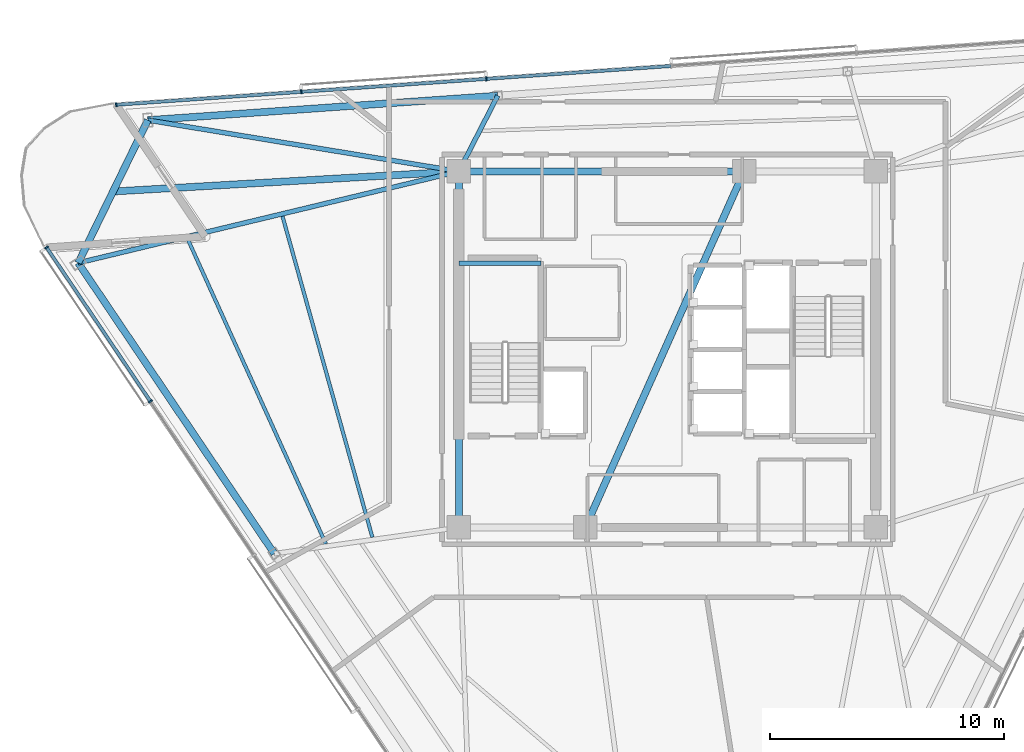
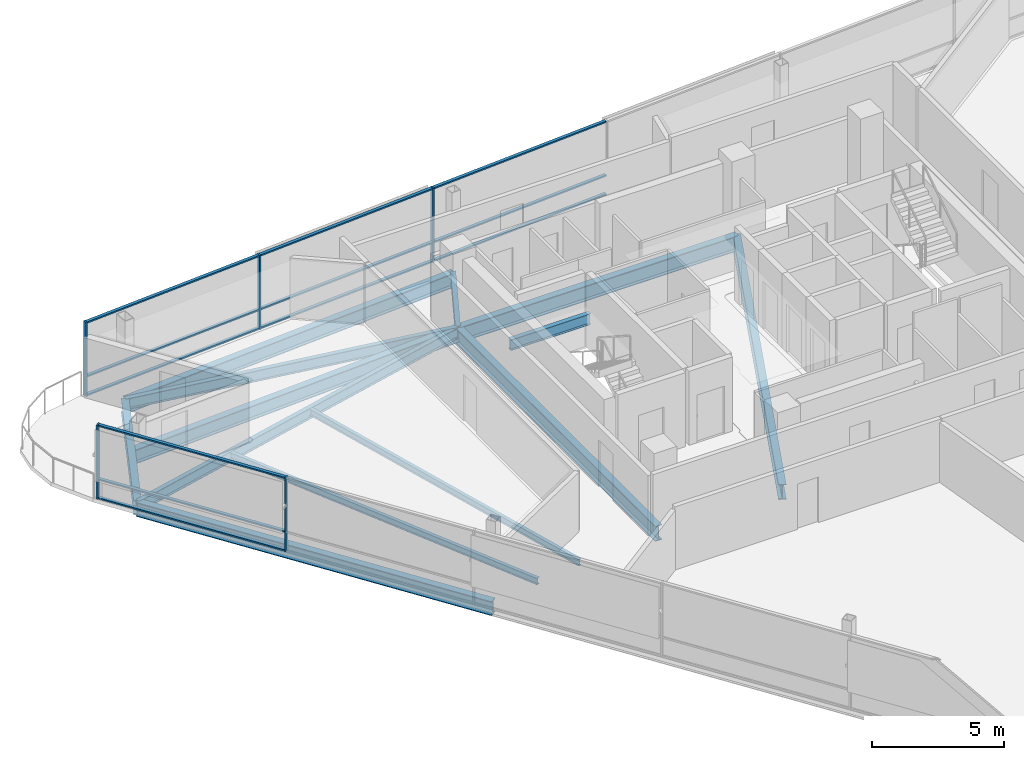
# One storey, part 5 of 15: 17 members, 13 beams, 2 elements without a shape of their own.
"""IFC4 building model written with IfcOpenShell, lengths in metres."""

import ifcopenshell
import ifcopenshell.guid

model = None  # the IFC model being written
_history = None  # IfcOwnerHistory: only IFC2X3 demands one
_inside = {}  # id of a spatial element -> (the spatial element, [elements in it])
_under = {}  # id of a project, library or spatial element -> (it, [spatial elements below it])
_declared = {}  # id of a project -> (the project, [libraries it declares])
_typed = {}  # id of a type object -> (the type object, [elements of that type])
_made_of = {}  # id of a material, layer set ... -> (it, [elements and type objects made of it])


def new_model(schema):
    """Start an empty IFC model of exactly this schema.

    Asked for "IFC4X3", IfcOpenShell would pick the latest addendum, in which some entities
    have other attributes; the version numbers below select the first issue.
    IFC2X3 requires an IfcOwnerHistory on every rooted entity: one is made here for all.
    """
    global model, _history
    if schema == "IFC4X3":
        model = ifcopenshell.file(schema_version=(4, 3, 0, 0))
    else:
        model = ifcopenshell.file(schema=schema)
    _inside.clear()
    _under.clear()
    _declared.clear()
    _typed.clear()
    _made_of.clear()
    _history = None
    if model.schema == "IFC2X3":
        org = make("IfcOrganization", Name="unknown")
        user = make(
            "IfcPersonAndOrganization",
            ThePerson=make("IfcPerson", FamilyName="unknown"),
            TheOrganization=org,
        )
        app = make(
            "IfcApplication",
            ApplicationDeveloper=org,
            Version="unknown",
            ApplicationFullName="unknown",
            ApplicationIdentifier="unknown",
        )
        _history = make(
            "IfcOwnerHistory",
            OwningUser=user,
            OwningApplication=app,
            ChangeAction="ADDED",
            CreationDate=0,
        )
    return model


def make(cls, **values):
    """One entity of the class cls with the attributes given. An attribute that is None is left unset."""
    return model.create_entity(
        cls, **{name: value for name, value in values.items() if value is not None}
    )


def rooted(cls, **values):
    """An entity with a GlobalId (a new one), such as an element, a storey or a relation."""
    return make(cls, GlobalId=ifcopenshell.guid.new(), OwnerHistory=_history, **values)


def si_unit(unit_type, name, prefix=None):
    """IfcSIUnit, for example si_unit("LENGTHUNIT", "METRE", prefix="MILLI")."""
    return make("IfcSIUnit", UnitType=unit_type, Prefix=prefix, Name=name)


def assignment(units):
    """IfcUnitAssignment: the units of a project."""
    return None if units is None else make("IfcUnitAssignment", Units=units)


def point(xyz):
    """IfcCartesianPoint."""
    return None if xyz is None else make("IfcCartesianPoint", Coordinates=xyz)


def direction(xyz):
    """IfcDirection."""
    return None if xyz is None else make("IfcDirection", DirectionRatios=xyz)


def frame(location, z_axis=None, x_axis=None):
    """IfcAxis2Placement3D, a coordinate frame: its origin and axes. An axis left out is left unset."""
    return make(
        "IfcAxis2Placement3D",
        Location=point(location),
        Axis=direction(z_axis),
        RefDirection=direction(x_axis),
    )


def frame_2d(location, x_axis=None):
    """IfcAxis2Placement2D, a coordinate frame in the plane: its origin and x axis."""
    return make(
        "IfcAxis2Placement2D", Location=point(location), RefDirection=direction(x_axis)
    )


def origin():
    """The frame at (0, 0, 0) with its axes left unset."""
    return frame((0.0, 0.0, 0.0))


def origin_2d():
    """The frame at (0, 0) in the plane with its x axis left unset."""
    return frame_2d((0.0, 0.0))


def place(relative_to, where):
    """IfcLocalPlacement: puts the frame where relative to a parent placement (None: the world)."""
    return make(
        "IfcLocalPlacement", PlacementRelTo=relative_to, RelativePlacement=where
    )


def context(
    kind, dimensions, precision=None, world=None, true_north=None, identifier=None
):
    """IfcGeometricRepresentationContext, for example the 3D "Model" context."""
    return make(
        "IfcGeometricRepresentationContext",
        ContextIdentifier=identifier,
        ContextType=kind,
        CoordinateSpaceDimension=dimensions,
        Precision=precision,
        WorldCoordinateSystem=world,
        TrueNorth=true_north,
    )


def subcontext(parent, identifier, kind, view, scale=None):
    """IfcGeometricRepresentationSubContext, for example "Body" below "Model"."""
    return make(
        "IfcGeometricRepresentationSubContext",
        ContextIdentifier=identifier,
        ContextType=kind,
        ParentContext=parent,
        TargetScale=scale,
        TargetView=view,
    )


def project(units=None, contexts=None):
    """IfcProject with its units and contexts."""
    return rooted(
        "IfcProject",
        Name="project",
        RepresentationContexts=contexts,
        UnitsInContext=assignment(units),
    )


def spatial(cls, under=None, at=None, **own):
    """A site, building, storey or space (cls), placed at a placement, below another one or the project."""
    s = rooted(cls, ObjectPlacement=at, **own)
    if under is not None:
        _under.setdefault(under.id(), (under, []))[1].append(s)
    return s


def profile(cls, at=None, kind="AREA", **sizes):
    """A parametric profile (cls). Its sizes go by their IFC names, for example OverallWidth=200.0."""
    return make(cls, ProfileType=kind, Position=at, **sizes)


def rectangle(**sizes):
    """IfcRectangleProfileDef."""
    return profile("IfcRectangleProfileDef", **sizes)


def i_section(**sizes):
    """IfcIShapeProfileDef."""
    return profile("IfcIShapeProfileDef", **sizes)


def extrude(swept, where, along, depth):
    """IfcExtrudedAreaSolid: the profile swept, set in the frame where, extruded along a direction by depth."""
    return make(
        "IfcExtrudedAreaSolid",
        SweptArea=swept,
        Position=where,
        ExtrudedDirection=direction(along),
        Depth=depth,
    )


def shape(context_of_items, identifier, shape_type, items):
    """IfcShapeRepresentation: the items that make up one representation, for example the "Body"."""
    return make(
        "IfcShapeRepresentation",
        ContextOfItems=context_of_items,
        RepresentationIdentifier=identifier,
        RepresentationType=shape_type,
        Items=items,
    )


def material(Name=None, Category=None):
    """IfcMaterial."""
    return make("IfcMaterial", Name=Name, Category=Category)


def layer(
    of_material, thickness, ventilated=None, Name=None, Category=None, Priority=None
):
    """IfcMaterialLayer: one layer of a wall or slab, of a material (None: an air gap)."""
    return make(
        "IfcMaterialLayer",
        Material=of_material,
        LayerThickness=thickness,
        IsVentilated=ventilated,
        Name=Name,
        Category=Category,
        Priority=Priority,
    )


def layer_set(layers, Name=None):
    """IfcMaterialLayerSet."""
    return make("IfcMaterialLayerSet", MaterialLayers=layers, LayerSetName=Name)


def material_profile(
    of_material, cross_section, Name=None, Category=None, Priority=None
):
    """IfcMaterialProfile: a cross section and its material."""
    return make(
        "IfcMaterialProfile",
        Name=Name,
        Material=of_material,
        Profile=cross_section,
        Priority=Priority,
        Category=Category,
    )


def profile_set(profiles, Name=None, composite=None):
    """IfcMaterialProfileSet."""
    return make(
        "IfcMaterialProfileSet",
        Name=Name,
        MaterialProfiles=profiles,
        CompositeProfile=composite,
    )


def made_of(thing, what):
    """Note that an element or type object is made of a material, layer set ...; save() writes the relation."""
    if what is not None:
        _made_of.setdefault(what.id(), (what, []))[1].append(thing)
    return thing


def type_object(cls, material=None, **own):
    """A type object (cls), such as IfcWallType, which elements share."""
    return made_of(rooted(cls, **own), material)


def element(
    cls,
    number,
    at=None,
    inside=None,
    cuts=None,
    type_object=None,
    material=None,
    context=None,
    identifier="Body",
    shape_type=None,
    held_by="IfcProductDefinitionShape",
    body=None,
    shapes=None,
    **own,
):
    """One element of the class cls, such as IfcWall. Its Tag is "e" and its number.

    at: its placement. inside: the storey or other place that contains it. cuts: it is an
    opening in that element (IfcRelVoidsElement). A single representation is given by context,
    identifier, shape_type and body (its items); several are given by shapes. held_by: the class
    of the entity that holds the representations. save() writes the other relations.
    """
    e = rooted(cls, Tag="e%d" % number, ObjectPlacement=at, **own)
    if body is not None:
        shapes = [shape(context, identifier, shape_type, body)]
    if shapes is not None:
        e.Representation = make(held_by, Representations=shapes)
    if inside is not None:
        _inside.setdefault(inside.id(), (inside, []))[1].append(e)
    if cuts is not None:
        rooted(
            "IfcRelVoidsElement", RelatingBuildingElement=cuts, RelatedOpeningElement=e
        )
    if type_object is not None:
        _typed.setdefault(type_object.id(), (type_object, []))[1].append(e)
    return made_of(e, material)


def aggregate(whole, parts):
    """IfcRelAggregates: a whole, such as a stair, and the parts it consists of."""
    return rooted("IfcRelAggregates", RelatingObject=whole, RelatedObjects=parts)


def save(model, path):
    """Write the relations noted so far, then the file.

    IfcRelAggregates (storeys below a building ...), IfcRelContainedInSpatialStructure (elements
    in a storey), IfcRelDefinesByType, IfcRelAssociatesMaterial and IfcRelDeclares: one each for
    every whole, place, type object, material and project.
    """
    for whole, parts in _under.values():
        aggregate(whole, parts)
    for where, things in _inside.values():
        rooted(
            "IfcRelContainedInSpatialStructure",
            RelatedElements=things,
            RelatingStructure=where,
        )
    for kind, things in _typed.values():
        rooted("IfcRelDefinesByType", RelatedObjects=things, RelatingType=kind)
    for what, things in _made_of.values():
        rooted("IfcRelAssociatesMaterial", RelatedObjects=things, RelatingMaterial=what)
    for by, libraries in _declared.values():
        rooted("IfcRelDeclares", RelatingContext=by, RelatedDefinitions=libraries)
    model.write(path)


model = new_model("IFC4")

# Units and contexts
model_context = context("Model", 3, precision=1e-05, world=origin(), true_north=direction((0.0, 1.0)))
body_context = subcontext(model_context, "Body", "Model", "MODEL_VIEW")
ifc_project = project(units=[si_unit("LENGTHUNIT", "METRE"), si_unit("AREAUNIT", "SQUARE_METRE"), si_unit("VOLUMEUNIT", "CUBIC_METRE"), si_unit("PLANEANGLEUNIT", "RADIAN"), si_unit("MASSUNIT", "GRAM", prefix="KILO")], contexts=[model_context])

# Site, building, storey
site_placement = place(None, origin())
site = spatial("IfcSite", under=ifc_project, at=site_placement, CompositionType="ELEMENT")
building_placement = place(site_placement, origin())
building = spatial("IfcBuilding", under=site, at=building_placement, Name="Tharavind Bronze Gate", CompositionType="ELEMENT")
storey_placement = place(building_placement, frame((0.0, 0.0, 267.800048828125)))
storey = spatial("IfcBuildingStorey", under=building, at=storey_placement, Name="L69", CompositionType="ELEMENT", Elevation=267.800048828125)

# Curtain wall, members
ifc_material_1 = material(Name="Anodised Bronze Aluminium", Category="aluminium")
ifc_layer = layer(ifc_material_1, 0.219970703125)
ifc_layer_set = layer_set([ifc_layer], Name="Anodised Bronze Aluminium")
curtain_wall_type = type_object("IfcCurtainWallType", Name="UNITISED CURTAIN WALL UPPER OFFICE", PredefinedType="USERDEFINED", material=ifc_layer_set)
curtain_wall_1_placement = place(storey_placement, origin())
curtain_wall_1 = element("IfcCurtainWall", 1, at=curtain_wall_1_placement, inside=storey, type_object=curtain_wall_type, Name="L69 unitised curtain wall upper office CW-L69-S1", ObjectType="UNITISED CURTAIN WALL", PredefinedType="USERDEFINED")
member_type_1 = type_object("IfcMemberType", Name="CURTAIN WALL BRONZE MULLION 65X180", PredefinedType="MULLION", material=ifc_material_1)
member_1_placement = place(storey_placement, frame((-26.498046875, 4.352294921875, 0.0), z_axis=(0.0, 0.0, 1.0), x_axis=(0.559191456526, -0.82903854853, 0.0)))
member_1 = element("IfcMember", 2, at=member_1_placement, type_object=member_type_1, Name="CW-L69-S1 mullion 1", PredefinedType="MULLION", context=body_context, shape_type="SweptSolid", body=[
    extrude(rectangle(XDim=0.06494140625, YDim=0.179931640625, at=origin_2d()), origin(), (0.0, 0.0, 1.0), 3.419921875),
])
member_2_placement = place(storey_placement, frame((-22.069091796875, -2.214111328125, 0.0), z_axis=(0.0, 0.0, 1.0), x_axis=(0.559191456526, -0.82903854853, 0.0)))
member_2 = element("IfcMember", 3, at=member_2_placement, type_object=member_type_1, Name="CW-L69-S1 mullion 2", PredefinedType="MULLION", context=body_context, shape_type="SweptSolid", body=[
    extrude(rectangle(XDim=0.06494140625, YDim=0.179931640625, at=origin_2d()), origin(), (0.0, 0.0, 1.0), 3.419921875),
])

curtain_wall_2_placement = place(storey_placement, origin())
curtain_wall_2 = element("IfcCurtainWall", 4, at=curtain_wall_2_placement, inside=storey, type_object=curtain_wall_type, Name="L69 unitised curtain wall upper office CW-L69-S3", ObjectType="UNITISED CURTAIN WALL", PredefinedType="USERDEFINED")
member_3_placement = place(storey_placement, frame((-7.7236328125, 11.551025390625, 0.0), z_axis=(0.0, 0.0, 1.0), x_axis=(-0.997563806758, -0.069759955899, 0.0)))
member_3 = element("IfcMember", 5, at=member_3_placement, type_object=member_type_1, Name="CW-L69-S3 mullion 5", PredefinedType="MULLION", context=body_context, shape_type="SweptSolid", body=[
    extrude(rectangle(XDim=0.06494140625, YDim=0.179931640625, at=origin_2d()), origin(), (0.0, 0.0, 1.0), 3.419921875),
])
member_4_placement = place(storey_placement, frame((-15.624755859375, 10.99853515625, 0.0), z_axis=(0.0, 0.0, 1.0), x_axis=(-0.997563806758, -0.069759955899, 0.0)))
member_4 = element("IfcMember", 6, at=member_4_placement, type_object=member_type_1, Name="CW-L69-S3 mullion 6", PredefinedType="MULLION", context=body_context, shape_type="SweptSolid", body=[
    extrude(rectangle(XDim=0.06494140625, YDim=0.179931640625, at=origin_2d()), origin(), (0.0, 0.0, 1.0), 3.419921875),
])
member_5_placement = place(storey_placement, frame((-23.52587890625, 10.446044921875, 0.0), z_axis=(0.0, 0.0, 1.0), x_axis=(-0.997563806758, -0.069759955899, 0.0)))
member_5 = element("IfcMember", 7, at=member_5_placement, type_object=member_type_1, Name="CW-L69-S3 mullion 7", PredefinedType="MULLION", context=body_context, shape_type="SweptSolid", body=[
    extrude(rectangle(XDim=0.06494140625, YDim=0.179931640625, at=origin_2d()), origin(), (0.0, 0.0, 1.0), 3.419921875),
])

# Member
member_type_2 = type_object("IfcMemberType", Name="CURTAIN WALL BRONZE TRANSOM 65X140", PredefinedType="USERDEFINED", material=ifc_material_1)
member_6_placement = place(storey_placement, frame((-24.283447265625, 1.069091796875, 0.0), z_axis=(0.0, 0.0, 1.0), x_axis=(0.559191456526, -0.82903854853, 0.0)))
member_6 = element("IfcMember", 8, at=member_6_placement, type_object=member_type_2, Name="CW-L69-S1 transom TB1", ObjectType="TRANSOM", PredefinedType="USERDEFINED", context=body_context, shape_type="SweptSolid", body=[
    extrude(rectangle(XDim=7.8671875, YDim=0.139892578125, at=origin_2d()), origin(), (0.0, 0.0, 1.0), 0.06494140625),
])

member_7_placement = place(storey_placement, frame((-24.283447265625, 1.069091796875, 0.867431640625), z_axis=(0.0, 0.0, 1.0), x_axis=(0.559191456526, -0.82903854853, 0.0)))
member_7 = element("IfcMember", 9, at=member_7_placement, type_object=member_type_2, Name="CW-L69-S1 transom TS1", ObjectType="TRANSOM", PredefinedType="USERDEFINED", context=body_context, shape_type="SweptSolid", body=[
    extrude(rectangle(XDim=7.8671875, YDim=0.139892578125, at=origin_2d()), origin(), (0.0, 0.0, 1.0), 0.06494140625),
])

member_8_placement = place(storey_placement, frame((-24.283447265625, 1.069091796875, 3.35498046875), z_axis=(0.0, 0.0, 1.0), x_axis=(0.559191456526, -0.82903854853, 0.0)))
member_8 = element("IfcMember", 10, at=member_8_placement, type_object=member_type_2, Name="CW-L69-S1 transom TT1", ObjectType="TRANSOM", PredefinedType="USERDEFINED", context=body_context, shape_type="SweptSolid", body=[
    extrude(rectangle(XDim=7.8671875, YDim=0.139892578125, at=origin_2d()), origin(), (0.0, 0.0, 1.0), 0.06494140625),
])

aggregate(curtain_wall_1, [member_1, member_2, member_6, member_7, member_8])

member_9_placement = place(storey_placement, frame((-3.773193359375, 11.827392578125, 0.0), z_axis=(0.0, 0.0, 1.0), x_axis=(-0.997563806758, -0.069759955899, 0.0)))
member_9 = element("IfcMember", 11, at=member_9_placement, type_object=member_type_2, Name="CW-L69-S3 transom TB4", ObjectType="TRANSOM", PredefinedType="USERDEFINED", context=body_context, shape_type="SweptSolid", body=[
    extrude(rectangle(XDim=7.8671875, YDim=0.139892578125, at=origin_2d()), origin(), (0.0, 0.0, 1.0), 0.06494140625),
])

member_10_placement = place(storey_placement, frame((-3.773193359375, 11.827392578125, 0.867431640625), z_axis=(0.0, 0.0, 1.0), x_axis=(-0.997563806758, -0.069759955899, 0.0)))
member_10 = element("IfcMember", 12, at=member_10_placement, type_object=member_type_2, Name="CW-L69-S3 transom TS4", ObjectType="TRANSOM", PredefinedType="USERDEFINED", context=body_context, shape_type="SweptSolid", body=[
    extrude(rectangle(XDim=7.8671875, YDim=0.139892578125, at=origin_2d()), origin(), (0.0, 0.0, 1.0), 0.06494140625),
])

member_11_placement = place(storey_placement, frame((-3.773193359375, 11.827392578125, 3.35498046875), z_axis=(0.0, 0.0, 1.0), x_axis=(-0.997563806758, -0.069759955899, 0.0)))
member_11 = element("IfcMember", 13, at=member_11_placement, type_object=member_type_2, Name="CW-L69-S3 transom TT4", ObjectType="TRANSOM", PredefinedType="USERDEFINED", context=body_context, shape_type="SweptSolid", body=[
    extrude(rectangle(XDim=7.8671875, YDim=0.139892578125, at=origin_2d()), origin(), (0.0, 0.0, 1.0), 0.06494140625),
])

member_12_placement = place(storey_placement, frame((-11.67431640625, 11.27490234375, 0.0), z_axis=(0.0, 0.0, 1.0), x_axis=(-0.997563806758, -0.069759955899, 0.0)))
member_12 = element("IfcMember", 14, at=member_12_placement, type_object=member_type_2, Name="CW-L69-S3 transom TB5", ObjectType="TRANSOM", PredefinedType="USERDEFINED", context=body_context, shape_type="SweptSolid", body=[
    extrude(rectangle(XDim=7.8671875, YDim=0.139892578125, at=origin_2d()), origin(), (0.0, 0.0, 1.0), 0.06494140625),
])

member_13_placement = place(storey_placement, frame((-11.67431640625, 11.27490234375, 0.867431640625), z_axis=(0.0, 0.0, 1.0), x_axis=(-0.997563806758, -0.069759955899, 0.0)))
member_13 = element("IfcMember", 15, at=member_13_placement, type_object=member_type_2, Name="CW-L69-S3 transom TS5", ObjectType="TRANSOM", PredefinedType="USERDEFINED", context=body_context, shape_type="SweptSolid", body=[
    extrude(rectangle(XDim=7.8671875, YDim=0.139892578125, at=origin_2d()), origin(), (0.0, 0.0, 1.0), 0.06494140625),
])

member_14_placement = place(storey_placement, frame((-11.67431640625, 11.27490234375, 3.35498046875), z_axis=(0.0, 0.0, 1.0), x_axis=(-0.997563806758, -0.069759955899, 0.0)))
member_14 = element("IfcMember", 16, at=member_14_placement, type_object=member_type_2, Name="CW-L69-S3 transom TT5", ObjectType="TRANSOM", PredefinedType="USERDEFINED", context=body_context, shape_type="SweptSolid", body=[
    extrude(rectangle(XDim=7.8671875, YDim=0.139892578125, at=origin_2d()), origin(), (0.0, 0.0, 1.0), 0.06494140625),
])

member_15_placement = place(storey_placement, frame((-19.5751953125, 10.722412109375, 0.0), z_axis=(0.0, 0.0, 1.0), x_axis=(-0.997563806758, -0.069759955899, 0.0)))
member_15 = element("IfcMember", 17, at=member_15_placement, type_object=member_type_2, Name="CW-L69-S3 transom TB6", ObjectType="TRANSOM", PredefinedType="USERDEFINED", context=body_context, shape_type="SweptSolid", body=[
    extrude(rectangle(XDim=7.8671875, YDim=0.139892578125, at=origin_2d()), origin(), (0.0, 0.0, 1.0), 0.06494140625),
])

member_16_placement = place(storey_placement, frame((-19.5751953125, 10.722412109375, 0.867431640625), z_axis=(0.0, 0.0, 1.0), x_axis=(-0.997563806758, -0.069759955899, 0.0)))
member_16 = element("IfcMember", 18, at=member_16_placement, type_object=member_type_2, Name="CW-L69-S3 transom TS6", ObjectType="TRANSOM", PredefinedType="USERDEFINED", context=body_context, shape_type="SweptSolid", body=[
    extrude(rectangle(XDim=7.8671875, YDim=0.139892578125, at=origin_2d()), origin(), (0.0, 0.0, 1.0), 0.06494140625),
])

member_17_placement = place(storey_placement, frame((-19.5751953125, 10.722412109375, 3.35498046875), z_axis=(0.0, 0.0, 1.0), x_axis=(-0.997563806758, -0.069759955899, 0.0)))
member_17 = element("IfcMember", 19, at=member_17_placement, type_object=member_type_2, Name="CW-L69-S3 transom TT6", ObjectType="TRANSOM", PredefinedType="USERDEFINED", context=body_context, shape_type="SweptSolid", body=[
    extrude(rectangle(XDim=7.8671875, YDim=0.139892578125, at=origin_2d()), origin(), (0.0, 0.0, 1.0), 0.06494140625),
])

aggregate(curtain_wall_2, [member_3, member_4, member_5, member_9, member_10, member_11, member_12, member_13, member_14, member_15, member_16, member_17])

# Beams
ifc_material_2 = material(Name="Steel S355", Category="steel")
ifc_material_profile_1 = material_profile(ifc_material_2, i_section(OverallWidth=0.300048828125, OverallDepth=0.64990234375, WebThickness=0.01611328125, FlangeThickness=0.031005859375, at=origin_2d()), Name="HE650B")
ifc_profile_set_1 = profile_set([ifc_material_profile_1], Name="Steel S355")
beam_type_1 = type_object("IfcBeamType", Name="PRIMARY GIRDER HE650B", PredefinedType="USERDEFINED", material=ifc_profile_set_1)
beam_1_placement = place(storey_placement, frame((-25.14990234375, 3.694580078125, -0.505126953125), z_axis=(0.559195614283, -0.829035744083, 0.0), x_axis=(0.829035744083, 0.559195614283, 0.0)))
element("IfcBeam", 20, at=beam_1_placement, inside=storey, type_object=beam_type_1, Name="L69 primary girder he650b BM-L69-PRG01", ObjectType="GIRDER", PredefinedType="USERDEFINED", context=body_context, shape_type="SweptSolid", body=[
    extrude(i_section(OverallWidth=0.300048828125, OverallDepth=0.64990234375, WebThickness=0.01611328125, FlangeThickness=0.031005859375, at=origin_2d()), origin(), (0.0, 0.0, 1.0), 14.974609375),
])
beam_2_placement = place(storey_placement, frame((-7.239501953125, 10.8330078125, -0.505126953125), z_axis=(-0.997564665038, -0.069747681447, 0.0), x_axis=(0.069747681447, -0.997564665038, 0.0)))
element("IfcBeam", 21, at=beam_2_placement, inside=storey, type_object=beam_type_1, Name="L69 primary girder he650b BM-L69-PRG11", ObjectType="GIRDER", PredefinedType="USERDEFINED", context=body_context, shape_type="SweptSolid", body=[
    extrude(i_section(OverallWidth=0.300048828125, OverallDepth=0.64990234375, WebThickness=0.01611328125, FlangeThickness=0.031005859375, at=origin_2d()), origin(), (0.0, 0.0, 1.0), 14.974365234375),
])
beam_3_placement = place(storey_placement, frame((-22.177490234375, 9.78857421875, -0.505126953125), z_axis=(-0.438391707719, -0.898784017772, 0.0), x_axis=(0.898784017772, -0.438391707719, 0.0)))
element("IfcBeam", 22, at=beam_3_placement, inside=storey, type_object=beam_type_1, Name="L69 primary girder he650b BM-L69-PRG12", ObjectType="GIRDER", PredefinedType="USERDEFINED", context=body_context, shape_type="SweptSolid", body=[
    extrude(i_section(OverallWidth=0.300048828125, OverallDepth=0.64990234375, WebThickness=0.01611328125, FlangeThickness=0.031005859375, at=origin_2d()), origin(), (0.0, 0.0, 1.0), 6.7802734375),
])
beam_4_placement = place(storey_placement, frame((-8.89990234375, 7.60009765625, -0.505126953125), z_axis=(-0.998314047526, -0.058043625934, 0.0), x_axis=(0.058043625934, -0.998314047526, 0.0)))
element("IfcBeam", 23, at=beam_4_placement, inside=storey, type_object=beam_type_1, Name="L69 primary girder he650b BM-L69-BLCSB", ObjectType="GIRDER", PredefinedType="USERDEFINED", context=body_context, shape_type="SweptSolid", body=[
    extrude(i_section(OverallWidth=0.300048828125, OverallDepth=0.64990234375, WebThickness=0.01611328125, FlangeThickness=0.031005859375, at=origin_2d()), origin(), (0.0, 0.0, 1.0), 14.788818359375),
])
ifc_material_profile_2 = material_profile(ifc_material_2, i_section(OverallWidth=0.199951171875, OverallDepth=0.5, WebThickness=0.01025390625, FlangeThickness=0.01611328125, at=origin_2d()), Name="IPE500")
ifc_profile_set_2 = profile_set([ifc_material_profile_2], Name="Steel S355")
beam_type_2 = type_object("IfcBeamType", Name="PRIMARY GIRDER IPE500", PredefinedType="USERDEFINED", material=ifc_profile_set_2)
beam_5_placement = place(storey_placement, frame((-8.89990234375, 3.679931640625, 1.349853515625), z_axis=(1.0, 0.0, 0.0), x_axis=(0.0, 1.0, 0.0)))
element("IfcBeam", 24, at=beam_5_placement, inside=storey, type_object=beam_type_2, Name="L69 primary girder ipe500 BM-LD-ST1-L69-1", ObjectType="GIRDER", PredefinedType="USERDEFINED", context=body_context, shape_type="SweptSolid", body=[
    extrude(i_section(OverallWidth=0.199951171875, OverallDepth=0.5, WebThickness=0.01025390625, FlangeThickness=0.01611328125, at=origin_2d()), origin(), (0.0, 0.0, 1.0), 3.5),
])
beam_6_placement = place(storey_placement, frame((-25.14990234375, 3.694580078125, -0.429931640625), z_axis=(0.97231233309, 0.23368510205, 0.0), x_axis=(-0.23368510205, 0.97231233309, 0.0)))
element("IfcBeam", 25, at=beam_6_placement, inside=storey, type_object=beam_type_2, Name="L69 primary girder ipe500 BM-L69-RAD01", ObjectType="GIRDER", PredefinedType="USERDEFINED", context=body_context, shape_type="SweptSolid", body=[
    extrude(i_section(OverallWidth=0.199951171875, OverallDepth=0.5, WebThickness=0.01025390625, FlangeThickness=0.01611328125, at=origin_2d()), origin(), (0.0, 0.0, 1.0), 16.712646484375),
])
beam_7_placement = place(storey_placement, frame((-7.239501953125, 10.8330078125, -0.429931640625), z_axis=(-0.45686071546, -0.889538243511, 0.0), x_axis=(0.889538243511, -0.45686071546, 0.0)))
element("IfcBeam", 26, at=beam_7_placement, inside=storey, type_object=beam_type_2, Name="L69 primary girder ipe500 BM-L69-RAD11", ObjectType="GIRDER", PredefinedType="USERDEFINED", context=body_context, shape_type="SweptSolid", body=[
    extrude(i_section(OverallWidth=0.199951171875, OverallDepth=0.5, WebThickness=0.01025390625, FlangeThickness=0.01611328125, at=origin_2d()), origin(), (0.0, 0.0, 1.0), 3.63427734375),
])
beam_8_placement = place(storey_placement, frame((-22.177490234375, 9.78857421875, -0.429931640625), z_axis=(0.986687034236, -0.16263055208, 0.0), x_axis=(0.16263055208, 0.986687034236, 0.0)))
element("IfcBeam", 27, at=beam_8_placement, inside=storey, type_object=beam_type_2, Name="L69 primary girder ipe500 BM-L69-RAD12", ObjectType="GIRDER", PredefinedType="USERDEFINED", context=body_context, shape_type="SweptSolid", body=[
    extrude(i_section(OverallWidth=0.199951171875, OverallDepth=0.5, WebThickness=0.01025390625, FlangeThickness=0.01611328125, at=origin_2d()), origin(), (0.0, 0.0, 1.0), 13.456787109375),
])
ifc_material_profile_3 = material_profile(ifc_material_2, i_section(OverallWidth=0.300048828125, OverallDepth=0.699951171875, WebThickness=0.01708984375, FlangeThickness=0.031982421875, at=origin_2d()), Name="HE700B")
ifc_profile_set_3 = profile_set([ifc_material_profile_3], Name="Steel S355")
beam_type_3 = type_object("IfcBeamType", Name="RING GIRDER HE700B", PredefinedType="USERDEFINED", material=ifc_profile_set_3)
beam_9_placement = place(storey_placement, frame((3.280029296875, 7.60009765625, -0.530029296875), z_axis=(-1.0, 0.0, 0.0), x_axis=(0.0, -1.0, 0.0)))
element("IfcBeam", 28, at=beam_9_placement, inside=storey, type_object=beam_type_3, Name="L69 ring girder he700b BM-L69-CR5", ObjectType="GIRDER", PredefinedType="USERDEFINED", context=body_context, shape_type="SweptSolid", body=[
    extrude(i_section(OverallWidth=0.300048828125, OverallDepth=0.699951171875, WebThickness=0.01708984375, FlangeThickness=0.031982421875, at=origin_2d()), origin(), (0.0, 0.0, 1.0), 12.179931640625),
])
beam_10_placement = place(storey_placement, frame((-8.89990234375, 7.60009765625, -0.530029296875), z_axis=(0.0, -1.0, 0.0), x_axis=(1.0, 0.0, 0.0)))
element("IfcBeam", 29, at=beam_10_placement, inside=storey, type_object=beam_type_3, Name="L69 ring girder he700b BM-L69-CR6", ObjectType="GIRDER", PredefinedType="USERDEFINED", context=body_context, shape_type="SweptSolid", body=[
    extrude(i_section(OverallWidth=0.300048828125, OverallDepth=0.699951171875, WebThickness=0.01708984375, FlangeThickness=0.031982421875, at=origin_2d()), origin(), (0.0, 0.0, 1.0), 15.2001953125),
])
beam_11_placement = place(storey_placement, frame((-3.5, -7.60009765625, -0.530029296875), z_axis=(0.407361644566, 0.913266932795, 0.0), x_axis=(-0.913266932795, 0.407361644566, 0.0)))
element("IfcBeam", 30, at=beam_11_placement, inside=storey, type_object=beam_type_3, Name="L69 ring girder he700b BM-L69-CR7", ObjectType="GIRDER", PredefinedType="USERDEFINED", context=body_context, shape_type="SweptSolid", body=[
    extrude(i_section(OverallWidth=0.300048828125, OverallDepth=0.699951171875, WebThickness=0.01708984375, FlangeThickness=0.031982421875, at=origin_2d()), origin(), (0.0, 0.0, 1.0), 16.643798828125),
])
ifc_material_profile_4 = material_profile(ifc_material_2, i_section(OverallWidth=0.14990234375, OverallDepth=0.300048828125, WebThickness=0.007080078125, FlangeThickness=0.0107421875, at=origin_2d()), Name="IPE300")
ifc_profile_set_4 = profile_set([ifc_material_profile_4], Name="Steel S355")
beam_type_4 = type_object("IfcBeamType", Name="SECONDARY FLOOR JOIST IPE300", PredefinedType="JOIST", material=ifc_profile_set_4)
beam_12_placement = place(storey_placement, frame((-16.427978515625, 5.683837890625, -0.330078125), z_axis=(0.26963947071, -0.96296134701, 0.0), x_axis=(0.96296134701, 0.26963947071, 0.0)))
element("IfcBeam", 31, at=beam_12_placement, inside=storey, type_object=beam_type_4, Name="L69 secondary floor joist ipe300 BM-L69-JSTA01", PredefinedType="JOIST", context=body_context, shape_type="SweptSolid", body=[
    extrude(i_section(OverallWidth=0.14990234375, OverallDepth=0.300048828125, WebThickness=0.007080078125, FlangeThickness=0.0107421875, at=origin_2d()), origin(), (0.0, 0.0, 1.0), 14.230712890625),
])
beam_13_placement = place(storey_placement, frame((-20.47509765625, 4.711181640625, -0.330078125), z_axis=(0.412859068065, -0.910794921987, 0.0), x_axis=(0.910794921987, 0.412859068065, 0.0)))
element("IfcBeam", 32, at=beam_13_placement, inside=storey, type_object=beam_type_4, Name="L69 secondary floor joist ipe300 BM-L69-JSTB01", PredefinedType="JOIST", context=body_context, shape_type="SweptSolid", body=[
    extrude(i_section(OverallWidth=0.14990234375, OverallDepth=0.300048828125, WebThickness=0.007080078125, FlangeThickness=0.0107421875, at=origin_2d()), origin(), (0.0, 0.0, 1.0), 14.2880859375),
])

save(model, "model.ifc")
